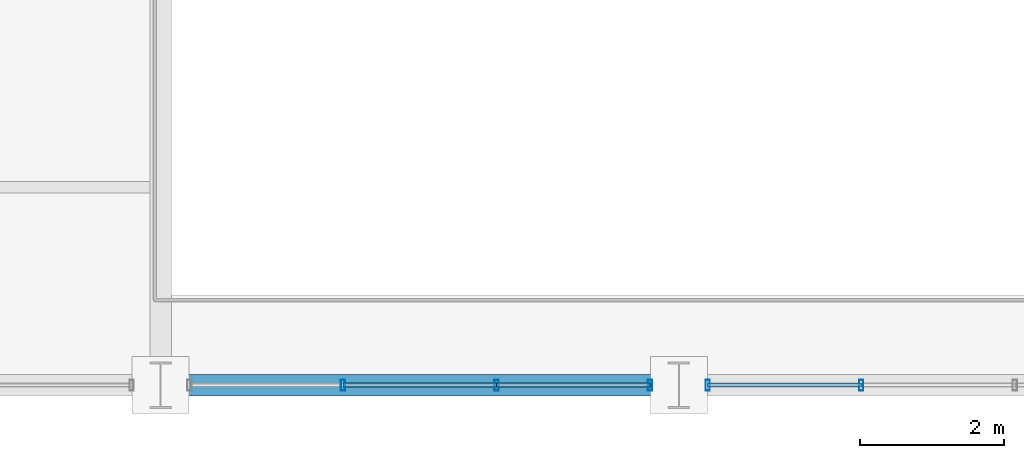
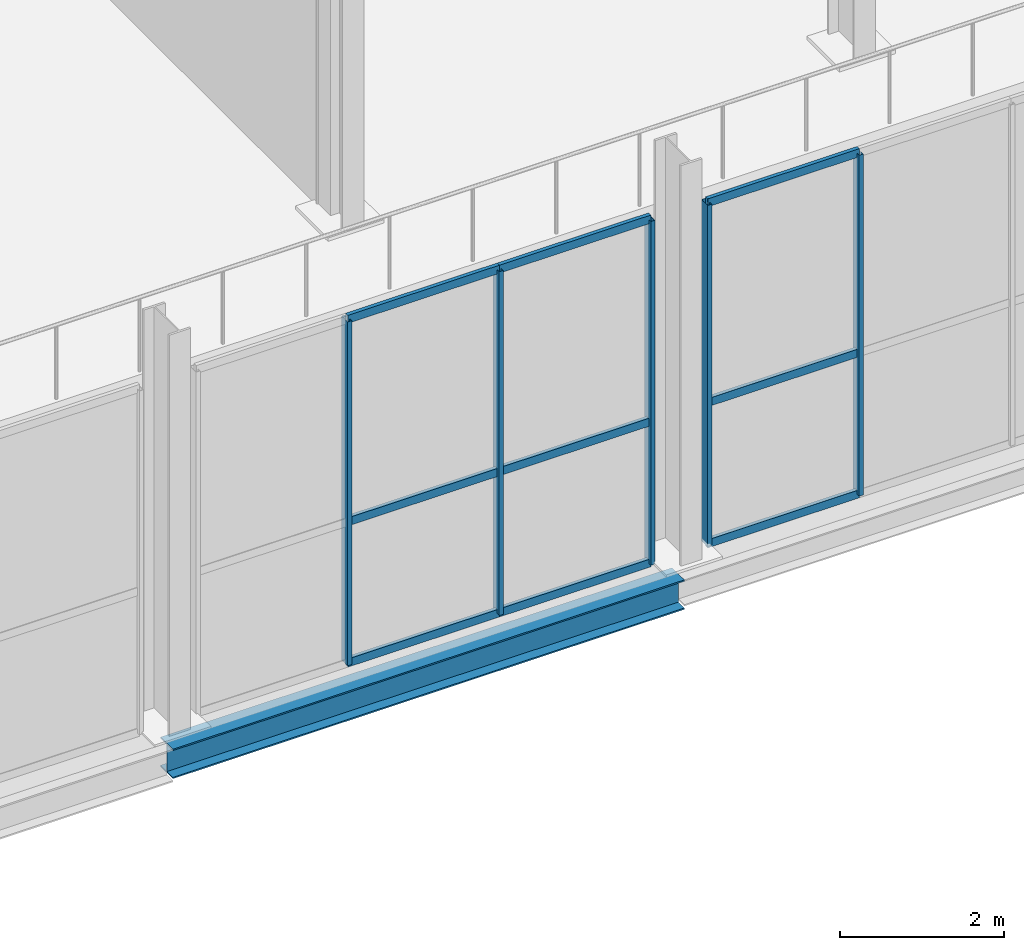
# One storey, part 77 of 144: 14 members, 1 beam, 2 elements without a shape of their own.
"""IFC4 building model written with IfcOpenShell, lengths in metres."""

from ifc_helpers import new_model, si_unit, direction, frame, origin, origin_2d, place, context, subcontext, project, spatial, hollow_rectangle, i_section, extrude, material, layer, layer_set, material_profile, profile_set, type_object, element, aggregate, save


model = new_model("IFC4")

# Units and contexts
model_context = context("Model", 3, precision=1e-05, world=origin(), true_north=direction((0.0, 1.0)))
body_context = subcontext(model_context, "Body", "Model", "MODEL_VIEW")
ifc_project = project(units=[si_unit("LENGTHUNIT", "METRE"), si_unit("AREAUNIT", "SQUARE_METRE"), si_unit("VOLUMEUNIT", "CUBIC_METRE"), si_unit("PLANEANGLEUNIT", "RADIAN"), si_unit("MASSUNIT", "GRAM", prefix="KILO")], contexts=[model_context])

# Site, building, storey
site_placement = place(None, origin())
site = spatial("IfcSite", under=ifc_project, at=site_placement, CompositionType="ELEMENT")
building_placement = place(site_placement, origin())
building = spatial("IfcBuilding", under=site, at=building_placement, Name="Sundgate Opera House", CompositionType="ELEMENT")
storey_placement = place(building_placement, origin())
storey = spatial("IfcBuildingStorey", under=building, at=storey_placement, Name="L00", CompositionType="ELEMENT", Elevation=0.0)

# Beam
ifc_material_1 = material(Name="Steel S355J2", Category="steel")
ifc_material_profile_1 = material_profile(ifc_material_1, i_section(OverallWidth=0.300048828125, OverallDepth=0.43994140625, WebThickness=0.011474609375, FlangeThickness=0.02099609375, at=origin_2d()), Name="HEA 450")
ifc_profile_set_1 = profile_set([ifc_material_profile_1], Name="Steel S355J2")
beam_type = type_object("IfcBeamType", Name="BM-GR-HEA450", PredefinedType="BEAM", material=ifc_profile_set_1)
beam_placement = place(storey_placement, frame((124.199951171875, 0.0, -0.5400390625), z_axis=(1.0, 0.0, 0.0), x_axis=(0.0, 1.0, 0.0)))
element("IfcBeam", 1, at=beam_placement, inside=storey, type_object=beam_type, Name="L00 Primary E-W Girder B0332", PredefinedType="BEAM", context=body_context, shape_type="SweptSolid", body=[
    extrude(i_section(OverallWidth=0.300048828125, OverallDepth=0.43994140625, WebThickness=0.011474609375, FlangeThickness=0.02099609375, at=origin_2d()), origin(), (0.0, 0.0, 1.0), 7.199951171875),
])

# Curtain wall, members
ifc_material_2 = material(Name="Anodized aluminium and low-iron glass", Category="aluminium")
ifc_layer = layer(ifc_material_2, 0.14990234375)
ifc_layer_set = layer_set([ifc_layer], Name="Anodized aluminium and low-iron glass")
curtain_wall_type = type_object("IfcCurtainWallType", Name="CW-WORKSHOP-DARK", PredefinedType="NOTDEFINED", material=ifc_layer_set)
curtain_wall_1_placement = place(storey_placement, origin())
curtain_wall_1 = element("IfcCurtainWall", 2, at=curtain_wall_1_placement, inside=storey, type_object=curtain_wall_type, Name="L00 Curtain Wall CW124", PredefinedType="NOTDEFINED")
ifc_material_3 = material(Name="Anodized aluminium EN AW-6063", Category="aluminium")
ifc_material_profile_2 = material_profile(ifc_material_3, hollow_rectangle(XDim=0.06005859375, YDim=0.14990234375, WallThickness=0.00390625, at=origin_2d()), Name="CWM 150x60x4")
ifc_profile_set_2 = profile_set([ifc_material_profile_2], Name="Anodized aluminium EN AW-6063")
member_type_1 = type_object("IfcMemberType", Name="CWM-ALU-150x60", PredefinedType="MULLION", material=ifc_profile_set_2)
member_1_placement = place(storey_placement, frame((131.0, 0.0, 0.0), z_axis=(0.0, 0.0, 1.0), x_axis=(1.0, 0.0, 0.0)))
member_1 = element("IfcMember", 3, at=member_1_placement, type_object=member_type_1, Name="CW124 Mullion 1", PredefinedType="MULLION", context=body_context, shape_type="SweptSolid", body=[
    extrude(hollow_rectangle(XDim=0.06005859375, YDim=0.14990234375, WallThickness=0.00390625, at=origin_2d()), origin(), (0.0, 0.0, 1.0), 5.114990234375),
])
member_2_placement = place(storey_placement, frame((128.86669921875, 0.0, 0.0), z_axis=(0.0, 0.0, 1.0), x_axis=(1.0, 0.0, 0.0)))
member_2 = element("IfcMember", 4, at=member_2_placement, type_object=member_type_1, Name="CW124 Mullion 2", PredefinedType="MULLION", context=body_context, shape_type="SweptSolid", body=[
    extrude(hollow_rectangle(XDim=0.06005859375, YDim=0.14990234375, WallThickness=0.00390625, at=origin_2d()), origin(), (0.0, 0.0, 1.0), 5.114990234375),
])
member_3_placement = place(storey_placement, frame((126.7333984375, 0.0, 0.0), z_axis=(0.0, 0.0, 1.0), x_axis=(1.0, 0.0, 0.0)))
member_3 = element("IfcMember", 5, at=member_3_placement, type_object=member_type_1, Name="CW124 Mullion 3", PredefinedType="MULLION", context=body_context, shape_type="SweptSolid", body=[
    extrude(hollow_rectangle(XDim=0.06005859375, YDim=0.14990234375, WallThickness=0.00390625, at=origin_2d()), origin(), (0.0, 0.0, 1.0), 5.114990234375),
])

curtain_wall_2_placement = place(storey_placement, origin())
curtain_wall_2 = element("IfcCurtainWall", 6, at=curtain_wall_2_placement, inside=storey, type_object=curtain_wall_type, Name="L00 Curtain Wall CW125", PredefinedType="NOTDEFINED")
member_4_placement = place(storey_placement, frame((133.933349609375, 0.0, 0.0), z_axis=(0.0, 0.0, 1.0), x_axis=(1.0, 0.0, 0.0)))
member_4 = element("IfcMember", 7, at=member_4_placement, type_object=member_type_1, Name="CW125 Mullion 3", PredefinedType="MULLION", context=body_context, shape_type="SweptSolid", body=[
    extrude(hollow_rectangle(XDim=0.06005859375, YDim=0.14990234375, WallThickness=0.00390625, at=origin_2d()), origin(), (0.0, 0.0, 1.0), 5.074951171875),
])
member_5_placement = place(storey_placement, frame((131.800048828125, 0.0, 0.0), z_axis=(0.0, 0.0, 1.0), x_axis=(1.0, 0.0, 0.0)))
member_5 = element("IfcMember", 8, at=member_5_placement, type_object=member_type_1, Name="CW125 Mullion 4", PredefinedType="MULLION", context=body_context, shape_type="SweptSolid", body=[
    extrude(hollow_rectangle(XDim=0.06005859375, YDim=0.14990234375, WallThickness=0.00390625, at=origin_2d()), origin(), (0.0, 0.0, 1.0), 5.074951171875),
])

# Member
ifc_material_4 = material(Name="Anodized aluminium EN AW-6063", Category="aluminium")
ifc_material_profile_3 = material_profile(ifc_material_4, hollow_rectangle(XDim=0.054931640625, YDim=0.1201171875, WallThickness=0.00390625, at=origin_2d()), Name="CWT 120x55x4")
ifc_profile_set_3 = profile_set([ifc_material_profile_3], Name="Anodized aluminium EN AW-6063")
member_type_2 = type_object("IfcMemberType", Name="CWT-ALU-120x55", PredefinedType="USERDEFINED", material=ifc_profile_set_3)
member_6_placement = place(storey_placement, frame((131.0, 0.0, 0.0), z_axis=(-1.0, 0.0, 0.0), x_axis=(0.0, -1.0, 0.0)))
member_6 = element("IfcMember", 9, at=member_6_placement, type_object=member_type_2, Name="CW124 Transom 1", ObjectType="TRANSOM", PredefinedType="USERDEFINED", context=body_context, shape_type="SweptSolid", body=[
    extrude(hollow_rectangle(XDim=0.054931640625, YDim=0.1201171875, WallThickness=0.00390625, at=origin_2d()), origin(), (0.0, 0.0, 1.0), 2.13330078125),
])

member_7_placement = place(storey_placement, frame((131.0, 0.0, 2.10009765625), z_axis=(-1.0, 0.0, 0.0), x_axis=(0.0, -1.0, 0.0)))
member_7 = element("IfcMember", 10, at=member_7_placement, type_object=member_type_2, Name="CW124 Transom 2", ObjectType="TRANSOM", PredefinedType="USERDEFINED", context=body_context, shape_type="SweptSolid", body=[
    extrude(hollow_rectangle(XDim=0.054931640625, YDim=0.1201171875, WallThickness=0.00390625, at=origin_2d()), origin(), (0.0, 0.0, 1.0), 2.13330078125),
])

member_8_placement = place(storey_placement, frame((131.0, 0.0, 5.114990234375), z_axis=(-1.0, 0.0, 0.0), x_axis=(0.0, -1.0, 0.0)))
member_8 = element("IfcMember", 11, at=member_8_placement, type_object=member_type_2, Name="CW124 Transom 3", ObjectType="TRANSOM", PredefinedType="USERDEFINED", context=body_context, shape_type="SweptSolid", body=[
    extrude(hollow_rectangle(XDim=0.054931640625, YDim=0.1201171875, WallThickness=0.00390625, at=origin_2d()), origin(), (0.0, 0.0, 1.0), 2.13330078125),
])

member_9_placement = place(storey_placement, frame((128.86669921875, 0.0, 0.0), z_axis=(-1.0, 0.0, 0.0), x_axis=(0.0, -1.0, 0.0)))
member_9 = element("IfcMember", 12, at=member_9_placement, type_object=member_type_2, Name="CW124 Transom 4", ObjectType="TRANSOM", PredefinedType="USERDEFINED", context=body_context, shape_type="SweptSolid", body=[
    extrude(hollow_rectangle(XDim=0.054931640625, YDim=0.1201171875, WallThickness=0.00390625, at=origin_2d()), origin(), (0.0, 0.0, 1.0), 2.13330078125),
])

member_10_placement = place(storey_placement, frame((128.86669921875, 0.0, 2.10009765625), z_axis=(-1.0, 0.0, 0.0), x_axis=(0.0, -1.0, 0.0)))
member_10 = element("IfcMember", 13, at=member_10_placement, type_object=member_type_2, Name="CW124 Transom 5", ObjectType="TRANSOM", PredefinedType="USERDEFINED", context=body_context, shape_type="SweptSolid", body=[
    extrude(hollow_rectangle(XDim=0.054931640625, YDim=0.1201171875, WallThickness=0.00390625, at=origin_2d()), origin(), (0.0, 0.0, 1.0), 2.13330078125),
])

member_11_placement = place(storey_placement, frame((128.86669921875, 0.0, 5.114990234375), z_axis=(-1.0, 0.0, 0.0), x_axis=(0.0, -1.0, 0.0)))
member_11 = element("IfcMember", 14, at=member_11_placement, type_object=member_type_2, Name="CW124 Transom 6", ObjectType="TRANSOM", PredefinedType="USERDEFINED", context=body_context, shape_type="SweptSolid", body=[
    extrude(hollow_rectangle(XDim=0.054931640625, YDim=0.1201171875, WallThickness=0.00390625, at=origin_2d()), origin(), (0.0, 0.0, 1.0), 2.13330078125),
])

aggregate(curtain_wall_1, [member_1, member_2, member_3, member_6, member_7, member_8, member_9, member_10, member_11])

member_12_placement = place(storey_placement, frame((133.933349609375, 0.0, 0.0), z_axis=(-1.0, 0.0, 0.0), x_axis=(0.0, -1.0, 0.0)))
member_12 = element("IfcMember", 15, at=member_12_placement, type_object=member_type_2, Name="CW125 Transom 7", ObjectType="TRANSOM", PredefinedType="USERDEFINED", context=body_context, shape_type="SweptSolid", body=[
    extrude(hollow_rectangle(XDim=0.054931640625, YDim=0.1201171875, WallThickness=0.00390625, at=origin_2d()), origin(), (0.0, 0.0, 1.0), 2.13330078125),
])

member_13_placement = place(storey_placement, frame((133.933349609375, 0.0, 2.10009765625), z_axis=(-1.0, 0.0, 0.0), x_axis=(0.0, -1.0, 0.0)))
member_13 = element("IfcMember", 16, at=member_13_placement, type_object=member_type_2, Name="CW125 Transom 8", ObjectType="TRANSOM", PredefinedType="USERDEFINED", context=body_context, shape_type="SweptSolid", body=[
    extrude(hollow_rectangle(XDim=0.054931640625, YDim=0.1201171875, WallThickness=0.00390625, at=origin_2d()), origin(), (0.0, 0.0, 1.0), 2.13330078125),
])

member_14_placement = place(storey_placement, frame((133.933349609375, 0.0, 5.074951171875), z_axis=(-1.0, 0.0, 0.0), x_axis=(0.0, -1.0, 0.0)))
member_14 = element("IfcMember", 17, at=member_14_placement, type_object=member_type_2, Name="CW125 Transom 9", ObjectType="TRANSOM", PredefinedType="USERDEFINED", context=body_context, shape_type="SweptSolid", body=[
    extrude(hollow_rectangle(XDim=0.054931640625, YDim=0.1201171875, WallThickness=0.00390625, at=origin_2d()), origin(), (0.0, 0.0, 1.0), 2.13330078125),
])

aggregate(curtain_wall_2, [member_4, member_5, member_12, member_13, member_14])

save(model, "model.ifc")
